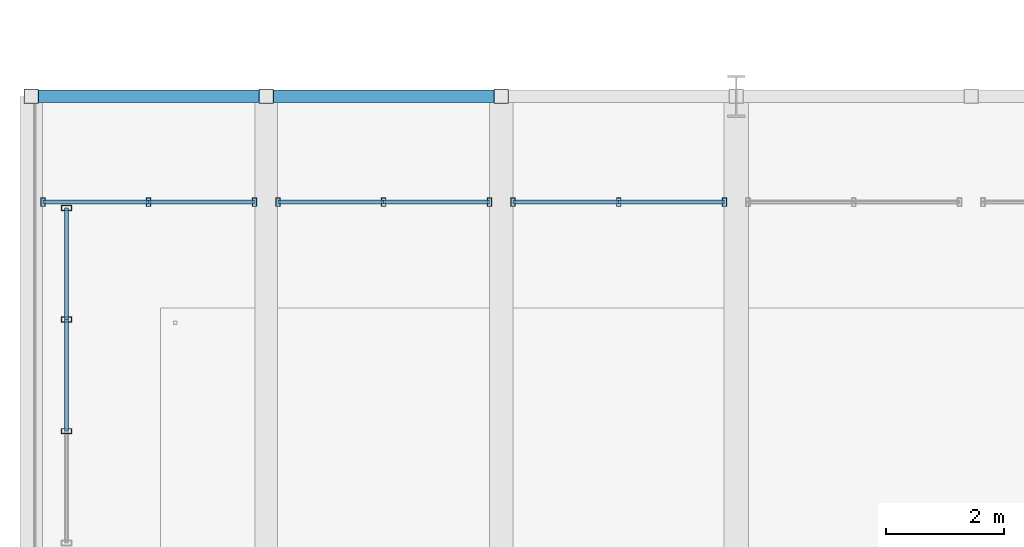
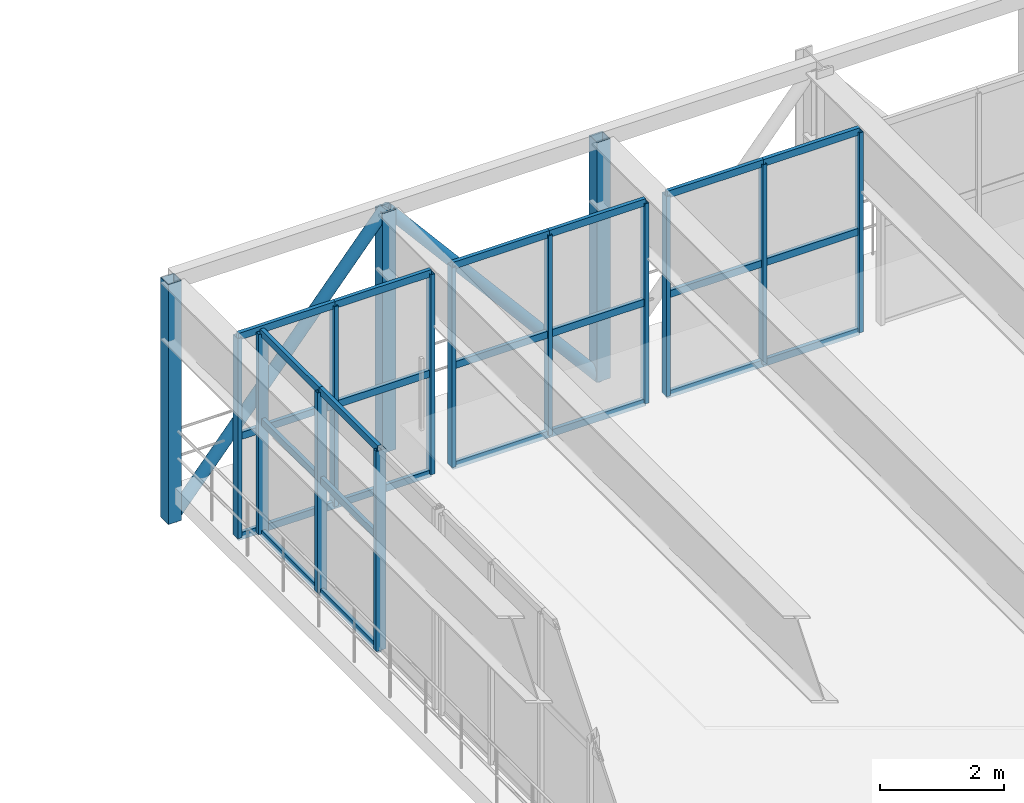
# One storey, part 30 of 124: 41 members, 4 elements without a shape of their own.
"""IFC4 building model written with IfcOpenShell, lengths in metres."""

import ifcopenshell
import ifcopenshell.guid

model = None  # the IFC model being written
_history = None  # IfcOwnerHistory: only IFC2X3 demands one
_inside = {}  # id of a spatial element -> (the spatial element, [elements in it])
_under = {}  # id of a project, library or spatial element -> (it, [spatial elements below it])
_declared = {}  # id of a project -> (the project, [libraries it declares])
_typed = {}  # id of a type object -> (the type object, [elements of that type])
_made_of = {}  # id of a material, layer set ... -> (it, [elements and type objects made of it])


def new_model(schema):
    """Start an empty IFC model of exactly this schema.

    Asked for "IFC4X3", IfcOpenShell would pick the latest addendum, in which some entities
    have other attributes; the version numbers below select the first issue.
    IFC2X3 requires an IfcOwnerHistory on every rooted entity: one is made here for all.
    """
    global model, _history
    if schema == "IFC4X3":
        model = ifcopenshell.file(schema_version=(4, 3, 0, 0))
    else:
        model = ifcopenshell.file(schema=schema)
    _inside.clear()
    _under.clear()
    _declared.clear()
    _typed.clear()
    _made_of.clear()
    _history = None
    if model.schema == "IFC2X3":
        org = make("IfcOrganization", Name="unknown")
        user = make(
            "IfcPersonAndOrganization",
            ThePerson=make("IfcPerson", FamilyName="unknown"),
            TheOrganization=org,
        )
        app = make(
            "IfcApplication",
            ApplicationDeveloper=org,
            Version="unknown",
            ApplicationFullName="unknown",
            ApplicationIdentifier="unknown",
        )
        _history = make(
            "IfcOwnerHistory",
            OwningUser=user,
            OwningApplication=app,
            ChangeAction="ADDED",
            CreationDate=0,
        )
    return model


def make(cls, **values):
    """One entity of the class cls with the attributes given. An attribute that is None is left unset."""
    return model.create_entity(
        cls, **{name: value for name, value in values.items() if value is not None}
    )


def rooted(cls, **values):
    """An entity with a GlobalId (a new one), such as an element, a storey or a relation."""
    return make(cls, GlobalId=ifcopenshell.guid.new(), OwnerHistory=_history, **values)


def si_unit(unit_type, name, prefix=None):
    """IfcSIUnit, for example si_unit("LENGTHUNIT", "METRE", prefix="MILLI")."""
    return make("IfcSIUnit", UnitType=unit_type, Prefix=prefix, Name=name)


def assignment(units):
    """IfcUnitAssignment: the units of a project."""
    return None if units is None else make("IfcUnitAssignment", Units=units)


def point(xyz):
    """IfcCartesianPoint."""
    return None if xyz is None else make("IfcCartesianPoint", Coordinates=xyz)


def direction(xyz):
    """IfcDirection."""
    return None if xyz is None else make("IfcDirection", DirectionRatios=xyz)


def frame(location, z_axis=None, x_axis=None):
    """IfcAxis2Placement3D, a coordinate frame: its origin and axes. An axis left out is left unset."""
    return make(
        "IfcAxis2Placement3D",
        Location=point(location),
        Axis=direction(z_axis),
        RefDirection=direction(x_axis),
    )


def frame_2d(location, x_axis=None):
    """IfcAxis2Placement2D, a coordinate frame in the plane: its origin and x axis."""
    return make(
        "IfcAxis2Placement2D", Location=point(location), RefDirection=direction(x_axis)
    )


def origin():
    """The frame at (0, 0, 0) with its axes left unset."""
    return frame((0.0, 0.0, 0.0))


def origin_2d():
    """The frame at (0, 0) in the plane with its x axis left unset."""
    return frame_2d((0.0, 0.0))


def place(relative_to, where):
    """IfcLocalPlacement: puts the frame where relative to a parent placement (None: the world)."""
    return make(
        "IfcLocalPlacement", PlacementRelTo=relative_to, RelativePlacement=where
    )


def context(
    kind, dimensions, precision=None, world=None, true_north=None, identifier=None
):
    """IfcGeometricRepresentationContext, for example the 3D "Model" context."""
    return make(
        "IfcGeometricRepresentationContext",
        ContextIdentifier=identifier,
        ContextType=kind,
        CoordinateSpaceDimension=dimensions,
        Precision=precision,
        WorldCoordinateSystem=world,
        TrueNorth=true_north,
    )


def subcontext(parent, identifier, kind, view, scale=None):
    """IfcGeometricRepresentationSubContext, for example "Body" below "Model"."""
    return make(
        "IfcGeometricRepresentationSubContext",
        ContextIdentifier=identifier,
        ContextType=kind,
        ParentContext=parent,
        TargetScale=scale,
        TargetView=view,
    )


def project(units=None, contexts=None):
    """IfcProject with its units and contexts."""
    return rooted(
        "IfcProject",
        Name="project",
        RepresentationContexts=contexts,
        UnitsInContext=assignment(units),
    )


def spatial(cls, under=None, at=None, **own):
    """A site, building, storey or space (cls), placed at a placement, below another one or the project."""
    s = rooted(cls, ObjectPlacement=at, **own)
    if under is not None:
        _under.setdefault(under.id(), (under, []))[1].append(s)
    return s


def profile(cls, at=None, kind="AREA", **sizes):
    """A parametric profile (cls). Its sizes go by their IFC names, for example OverallWidth=200.0."""
    return make(cls, ProfileType=kind, Position=at, **sizes)


def hollow_rectangle(**sizes):
    """IfcRectangleHollowProfileDef."""
    return profile("IfcRectangleHollowProfileDef", **sizes)


def hollow_circle(**sizes):
    """IfcCircleHollowProfileDef."""
    return profile("IfcCircleHollowProfileDef", **sizes)


def extrude(swept, where, along, depth):
    """IfcExtrudedAreaSolid: the profile swept, set in the frame where, extruded along a direction by depth."""
    return make(
        "IfcExtrudedAreaSolid",
        SweptArea=swept,
        Position=where,
        ExtrudedDirection=direction(along),
        Depth=depth,
    )


def shape(context_of_items, identifier, shape_type, items):
    """IfcShapeRepresentation: the items that make up one representation, for example the "Body"."""
    return make(
        "IfcShapeRepresentation",
        ContextOfItems=context_of_items,
        RepresentationIdentifier=identifier,
        RepresentationType=shape_type,
        Items=items,
    )


def material(Name=None, Category=None):
    """IfcMaterial."""
    return make("IfcMaterial", Name=Name, Category=Category)


def material_profile(
    of_material, cross_section, Name=None, Category=None, Priority=None
):
    """IfcMaterialProfile: a cross section and its material."""
    return make(
        "IfcMaterialProfile",
        Name=Name,
        Material=of_material,
        Profile=cross_section,
        Priority=Priority,
        Category=Category,
    )


def profile_set(profiles, Name=None, composite=None):
    """IfcMaterialProfileSet."""
    return make(
        "IfcMaterialProfileSet",
        Name=Name,
        MaterialProfiles=profiles,
        CompositeProfile=composite,
    )


def made_of(thing, what):
    """Note that an element or type object is made of a material, layer set ...; save() writes the relation."""
    if what is not None:
        _made_of.setdefault(what.id(), (what, []))[1].append(thing)
    return thing


def type_object(cls, material=None, **own):
    """A type object (cls), such as IfcWallType, which elements share."""
    return made_of(rooted(cls, **own), material)


def element(
    cls,
    number,
    at=None,
    inside=None,
    cuts=None,
    type_object=None,
    material=None,
    context=None,
    identifier="Body",
    shape_type=None,
    held_by="IfcProductDefinitionShape",
    body=None,
    shapes=None,
    **own,
):
    """One element of the class cls, such as IfcWall. Its Tag is "e" and its number.

    at: its placement. inside: the storey or other place that contains it. cuts: it is an
    opening in that element (IfcRelVoidsElement). A single representation is given by context,
    identifier, shape_type and body (its items); several are given by shapes. held_by: the class
    of the entity that holds the representations. save() writes the other relations.
    """
    e = rooted(cls, Tag="e%d" % number, ObjectPlacement=at, **own)
    if body is not None:
        shapes = [shape(context, identifier, shape_type, body)]
    if shapes is not None:
        e.Representation = make(held_by, Representations=shapes)
    if inside is not None:
        _inside.setdefault(inside.id(), (inside, []))[1].append(e)
    if cuts is not None:
        rooted(
            "IfcRelVoidsElement", RelatingBuildingElement=cuts, RelatedOpeningElement=e
        )
    if type_object is not None:
        _typed.setdefault(type_object.id(), (type_object, []))[1].append(e)
    return made_of(e, material)


def aggregate(whole, parts):
    """IfcRelAggregates: a whole, such as a stair, and the parts it consists of."""
    return rooted("IfcRelAggregates", RelatingObject=whole, RelatedObjects=parts)


def save(model, path):
    """Write the relations noted so far, then the file.

    IfcRelAggregates (storeys below a building ...), IfcRelContainedInSpatialStructure (elements
    in a storey), IfcRelDefinesByType, IfcRelAssociatesMaterial and IfcRelDeclares: one each for
    every whole, place, type object, material and project.
    """
    for whole, parts in _under.values():
        aggregate(whole, parts)
    for where, things in _inside.values():
        rooted(
            "IfcRelContainedInSpatialStructure",
            RelatedElements=things,
            RelatingStructure=where,
        )
    for kind, things in _typed.values():
        rooted("IfcRelDefinesByType", RelatedObjects=things, RelatingType=kind)
    for what, things in _made_of.values():
        rooted("IfcRelAssociatesMaterial", RelatedObjects=things, RelatingMaterial=what)
    for by, libraries in _declared.values():
        rooted("IfcRelDeclares", RelatingContext=by, RelatedDefinitions=libraries)
    model.write(path)


model = new_model("IFC4")

# Units and contexts
model_context = context("Model", 3, precision=1e-05, world=origin(), true_north=direction((0.0, 1.0)))
body_context = subcontext(model_context, "Body", "Model", "MODEL_VIEW")
ifc_project = project(units=[si_unit("LENGTHUNIT", "METRE"), si_unit("AREAUNIT", "SQUARE_METRE"), si_unit("VOLUMEUNIT", "CUBIC_METRE"), si_unit("PLANEANGLEUNIT", "RADIAN"), si_unit("MASSUNIT", "GRAM", prefix="KILO")], contexts=[model_context])

# Site, building, storey
site_placement = place(None, origin())
site = spatial("IfcSite", under=ifc_project, at=site_placement, CompositionType="ELEMENT")
building_placement = place(site_placement, origin())
building = spatial("IfcBuilding", under=site, at=building_placement, Name="Sundkrona Museum", CompositionType="ELEMENT")
storey_placement = place(building_placement, frame((0.0, 0.0, 17.60009765625)))
storey = spatial("IfcBuildingStorey", under=building, at=storey_placement, Name="L03", CompositionType="ELEMENT", Elevation=17.60009765625)

# Curtain wall, members
ifc_material_1 = material(Name="Unitised Aluminium-Steel and Ceramic-Clad Curtain Walling", Category="steel")
curtain_wall_type_1 = type_object("IfcCurtainWallType", Name="CW-CV-36x38", PredefinedType="NOTDEFINED", material=ifc_material_1)
curtain_wall_1_placement = place(storey_placement, origin())
curtain_wall_1 = element("IfcCurtainWall", 1, at=curtain_wall_1_placement, inside=storey, type_object=curtain_wall_type_1, Name="L03 Curtain Wall CW-L03-153", PredefinedType="NOTDEFINED")
ifc_material_2 = material(Name="Aluminium EN AW-6060 T66", Category="aluminium")
ifc_material_profile_1 = material_profile(ifc_material_2, hollow_rectangle(XDim=0.074951171875, YDim=0.14990234375, WallThickness=0.00634765625, at=origin_2d()), Name="RHS 150x75x6.3")
ifc_profile_set_1 = profile_set([ifc_material_profile_1], Name="Aluminium EN AW-6060 T66")
member_type_1 = type_object("IfcMemberType", Name="ML-150", PredefinedType="MULLION", material=ifc_profile_set_1)
member_1_placement = place(storey_placement, frame((4.199951171875, 52.199951171875, -0.004150390625), z_axis=(0.0, 0.0, 1.0), x_axis=(1.0, 0.0, 0.0)))
member_1 = element("IfcMember", 2, at=member_1_placement, type_object=member_type_1, Name="CW-L03-153 Mullion 01", PredefinedType="MULLION", context=body_context, shape_type="SweptSolid", body=[
    extrude(hollow_rectangle(XDim=0.074951171875, YDim=0.14990234375, WallThickness=0.00634765625, at=origin_2d()), origin(), (0.0, 0.0, 1.0), 3.947998046875),
])
member_2_placement = place(storey_placement, frame((6.0, 52.199951171875, -0.004150390625), z_axis=(0.0, 0.0, 1.0), x_axis=(1.0, 0.0, 0.0)))
member_2 = element("IfcMember", 3, at=member_2_placement, type_object=member_type_1, Name="CW-L03-153 Mullion 02", PredefinedType="MULLION", context=body_context, shape_type="SweptSolid", body=[
    extrude(hollow_rectangle(XDim=0.074951171875, YDim=0.14990234375, WallThickness=0.00634765625, at=origin_2d()), origin(), (0.0, 0.0, 1.0), 3.947998046875),
])
member_3_placement = place(storey_placement, frame((7.800048828125, 52.199951171875, -0.004150390625), z_axis=(0.0, 0.0, 1.0), x_axis=(1.0, 0.0, 0.0)))
member_3 = element("IfcMember", 4, at=member_3_placement, type_object=member_type_1, Name="CW-L03-153 Mullion 03", PredefinedType="MULLION", context=body_context, shape_type="SweptSolid", body=[
    extrude(hollow_rectangle(XDim=0.074951171875, YDim=0.14990234375, WallThickness=0.00634765625, at=origin_2d()), origin(), (0.0, 0.0, 1.0), 3.947998046875),
])

curtain_wall_2_placement = place(storey_placement, origin())
curtain_wall_2 = element("IfcCurtainWall", 5, at=curtain_wall_2_placement, inside=storey, type_object=curtain_wall_type_1, Name="L03 Curtain Wall CW-L03-155", PredefinedType="NOTDEFINED")
member_4_placement = place(storey_placement, frame((8.199951171875, 52.199951171875, -0.004150390625), z_axis=(0.0, 0.0, 1.0), x_axis=(1.0, 0.0, 0.0)))
member_4 = element("IfcMember", 6, at=member_4_placement, type_object=member_type_1, Name="CW-L03-155 Mullion 01", PredefinedType="MULLION", context=body_context, shape_type="SweptSolid", body=[
    extrude(hollow_rectangle(XDim=0.074951171875, YDim=0.14990234375, WallThickness=0.00634765625, at=origin_2d()), origin(), (0.0, 0.0, 1.0), 3.947998046875),
])
member_5_placement = place(storey_placement, frame((10.0, 52.199951171875, -0.004150390625), z_axis=(0.0, 0.0, 1.0), x_axis=(1.0, 0.0, 0.0)))
member_5 = element("IfcMember", 7, at=member_5_placement, type_object=member_type_1, Name="CW-L03-155 Mullion 02", PredefinedType="MULLION", context=body_context, shape_type="SweptSolid", body=[
    extrude(hollow_rectangle(XDim=0.074951171875, YDim=0.14990234375, WallThickness=0.00634765625, at=origin_2d()), origin(), (0.0, 0.0, 1.0), 3.947998046875),
])
member_6_placement = place(storey_placement, frame((11.800048828125, 52.199951171875, -0.004150390625), z_axis=(0.0, 0.0, 1.0), x_axis=(1.0, 0.0, 0.0)))
member_6 = element("IfcMember", 8, at=member_6_placement, type_object=member_type_1, Name="CW-L03-155 Mullion 03", PredefinedType="MULLION", context=body_context, shape_type="SweptSolid", body=[
    extrude(hollow_rectangle(XDim=0.074951171875, YDim=0.14990234375, WallThickness=0.00634765625, at=origin_2d()), origin(), (0.0, 0.0, 1.0), 3.947998046875),
])

curtain_wall_3_placement = place(storey_placement, origin())
curtain_wall_3 = element("IfcCurtainWall", 9, at=curtain_wall_3_placement, inside=storey, type_object=curtain_wall_type_1, Name="L03 Curtain Wall CW-L03-157", PredefinedType="NOTDEFINED")
member_7_placement = place(storey_placement, frame((12.199951171875, 52.199951171875, -0.004150390625), z_axis=(0.0, 0.0, 1.0), x_axis=(1.0, 0.0, 0.0)))
member_7 = element("IfcMember", 10, at=member_7_placement, type_object=member_type_1, Name="CW-L03-157 Mullion 01", PredefinedType="MULLION", context=body_context, shape_type="SweptSolid", body=[
    extrude(hollow_rectangle(XDim=0.074951171875, YDim=0.14990234375, WallThickness=0.00634765625, at=origin_2d()), origin(), (0.0, 0.0, 1.0), 3.947998046875),
])
member_8_placement = place(storey_placement, frame((14.0, 52.199951171875, -0.004150390625), z_axis=(0.0, 0.0, 1.0), x_axis=(1.0, 0.0, 0.0)))
member_8 = element("IfcMember", 11, at=member_8_placement, type_object=member_type_1, Name="CW-L03-157 Mullion 02", PredefinedType="MULLION", context=body_context, shape_type="SweptSolid", body=[
    extrude(hollow_rectangle(XDim=0.074951171875, YDim=0.14990234375, WallThickness=0.00634765625, at=origin_2d()), origin(), (0.0, 0.0, 1.0), 3.947998046875),
])
member_9_placement = place(storey_placement, frame((15.800048828125, 52.199951171875, -0.004150390625), z_axis=(0.0, 0.0, 1.0), x_axis=(1.0, 0.0, 0.0)))
member_9 = element("IfcMember", 12, at=member_9_placement, type_object=member_type_1, Name="CW-L03-157 Mullion 03", PredefinedType="MULLION", context=body_context, shape_type="SweptSolid", body=[
    extrude(hollow_rectangle(XDim=0.074951171875, YDim=0.14990234375, WallThickness=0.00634765625, at=origin_2d()), origin(), (0.0, 0.0, 1.0), 3.947998046875),
])

curtain_wall_type_2 = type_object("IfcCurtainWallType", Name="CW-CV-68x38", PredefinedType="NOTDEFINED", material=ifc_material_1)
curtain_wall_4_placement = place(storey_placement, origin())
curtain_wall_4 = element("IfcCurtainWall", 13, at=curtain_wall_4_placement, inside=storey, type_object=curtain_wall_type_2, Name="L03 Curtain Wall CW-CV-TIP-L03-46", PredefinedType="NOTDEFINED")
ifc_material_profile_2 = material_profile(ifc_material_2, hollow_rectangle(XDim=0.090087890625, YDim=0.179931640625, WallThickness=0.00634765625, at=origin_2d()), Name="RHS 180x90x6.3")
ifc_profile_set_2 = profile_set([ifc_material_profile_2], Name="Aluminium EN AW-6060 T66")
member_type_2 = type_object("IfcMemberType", Name="ML-180", PredefinedType="MULLION", material=ifc_profile_set_2)
member_10_placement = place(storey_placement, frame((4.60009765625, 48.300048828125, -0.004150390625), z_axis=(0.0, 0.0, 1.0), x_axis=(0.0, 1.0, 0.0)))
member_10 = element("IfcMember", 14, at=member_10_placement, type_object=member_type_2, Name="CW-CV-TIP-L03-46 Mullion 02", PredefinedType="MULLION", context=body_context, shape_type="SweptSolid", body=[
    extrude(hollow_rectangle(XDim=0.090087890625, YDim=0.179931640625, WallThickness=0.00634765625, at=origin_2d()), origin(), (0.0, 0.0, 1.0), 3.947998046875),
])
member_11_placement = place(storey_placement, frame((4.60009765625, 50.199951171875, -0.004150390625), z_axis=(0.0, 0.0, 1.0), x_axis=(0.0, 1.0, 0.0)))
member_11 = element("IfcMember", 15, at=member_11_placement, type_object=member_type_2, Name="CW-CV-TIP-L03-46 Mullion 03", PredefinedType="MULLION", context=body_context, shape_type="SweptSolid", body=[
    extrude(hollow_rectangle(XDim=0.090087890625, YDim=0.179931640625, WallThickness=0.00634765625, at=origin_2d()), origin(), (0.0, 0.0, 1.0), 3.947998046875),
])
member_12_placement = place(storey_placement, frame((4.60009765625, 52.10009765625, -0.004150390625), z_axis=(0.0, 0.0, 1.0), x_axis=(0.0, 1.0, 0.0)))
member_12 = element("IfcMember", 16, at=member_12_placement, type_object=member_type_2, Name="CW-CV-TIP-L03-46 Mullion 04", PredefinedType="MULLION", context=body_context, shape_type="SweptSolid", body=[
    extrude(hollow_rectangle(XDim=0.090087890625, YDim=0.179931640625, WallThickness=0.00634765625, at=origin_2d()), origin(), (0.0, 0.0, 1.0), 3.947998046875),
])

# Members
ifc_material_3 = material(Name="Steel S355J2", Category="steel")
ifc_material_profile_3 = material_profile(ifc_material_3, hollow_circle(Radius=0.109619140625, WallThickness=0.010009765625, at=origin_2d()), Name="CHS 219.1x10.0")
ifc_profile_set_3 = profile_set([ifc_material_profile_3], Name="Steel S355J2")
member_type_3 = type_object("IfcMemberType", Name="ST-CHS219", PredefinedType="STRUT", material=ifc_profile_set_3)
for number, where, z_axis, x_axis, name in (
    (17, (4.0, 54.0, -0.68017578125), (0.645726672694, 0.0, 0.763568637499), (0.0, 1.0, 0.0), "TRS-1 Cantilever Upper Pavilion N Diagonal 1"),
    (18, (8.0, 54.0, 4.0498046875), (0.645726672694, 0.0, -0.763568637499), (0.0, 1.0, 0.0), "TRS-1 Cantilever Upper Pavilion N Diagonal 2"),
):
    element("IfcMember", number, at=place(storey_placement, frame(where, z_axis=z_axis, x_axis=x_axis)), inside=storey, type_object=member_type_3, Name=name, PredefinedType="STRUT", context=body_context, shape_type="SweptSolid", body=[
        extrude(hollow_circle(Radius=0.109619140625, WallThickness=0.010009765625, at=origin_2d()), origin(), (0.0, 0.0, 1.0), 6.194580078125),
    ])
ifc_material_4 = material(Name="Steel S460M", Category="steel")
ifc_material_profile_4 = material_profile(ifc_material_4, hollow_rectangle(XDim=0.25, YDim=0.25, WallThickness=0.012451171875, at=origin_2d()), Name="SHS 250x250x12.5")
ifc_profile_set_4 = profile_set([ifc_material_profile_4], Name="Steel S460M")
member_type_4 = type_object("IfcMemberType", Name="ST-SHS250", PredefinedType="STRUT", material=ifc_profile_set_4)
for number, where, z_axis, x_axis, name in (
    (19, (4.0, 54.0, -0.68017578125), (0.0, 0.0, 1.0), (1.0, 0.0, 0.0), "TRS-1 Cantilever Upper Pavilion Post N-1"),
    (20, (8.0, 54.0, -0.68017578125), (0.0, 0.0, 1.0), (1.0, 0.0, 0.0), "TRS-1 Cantilever Upper Pavilion Post N-2"),
    (21, (12.0, 54.0, -0.68017578125), (0.0, 0.0, 1.0), (1.0, 0.0, 0.0), "TRS-1 Cantilever Upper Pavilion Post N-3"),
):
    element("IfcMember", number, at=place(storey_placement, frame(where, z_axis=z_axis, x_axis=x_axis)), inside=storey, type_object=member_type_4, Name=name, PredefinedType="STRUT", context=body_context, shape_type="SweptSolid", body=[
        extrude(hollow_rectangle(XDim=0.25, YDim=0.25, WallThickness=0.012451171875, at=origin_2d()), origin(), (0.0, 0.0, 1.0), 4.72998046875),
    ])

# Member
ifc_material_profile_5 = material_profile(ifc_material_2, hollow_rectangle(XDim=0.070068359375, YDim=0.139892578125, WallThickness=0.0048828125, at=origin_2d()), Name="RHS 140x70x5.0")
ifc_profile_set_5 = profile_set([ifc_material_profile_5], Name="Aluminium EN AW-6060 T66")
member_type_5 = type_object("IfcMemberType", Name="TR-140", PredefinedType="USERDEFINED", material=ifc_profile_set_5)
member_13_placement = place(storey_placement, frame((4.199951171875, 52.199951171875, -0.004150390625), z_axis=(1.0, 0.0, 0.0), x_axis=(0.0, 1.0, 0.0)))
member_13 = element("IfcMember", 22, at=member_13_placement, type_object=member_type_5, Name="CW-L03-153 Transom 01", ObjectType="TRANSOM", PredefinedType="USERDEFINED", context=body_context, shape_type="SweptSolid", body=[
    extrude(hollow_rectangle(XDim=0.070068359375, YDim=0.139892578125, WallThickness=0.0048828125, at=origin_2d()), origin(), (0.0, 0.0, 1.0), 1.800048828125),
])

member_14_placement = place(storey_placement, frame((4.199951171875, 52.199951171875, 1.969970703125), z_axis=(1.0, 0.0, 0.0), x_axis=(0.0, 1.0, 0.0)))
member_14 = element("IfcMember", 23, at=member_14_placement, type_object=member_type_5, Name="CW-L03-153 Transom 02", ObjectType="TRANSOM", PredefinedType="USERDEFINED", context=body_context, shape_type="SweptSolid", body=[
    extrude(hollow_rectangle(XDim=0.070068359375, YDim=0.139892578125, WallThickness=0.0048828125, at=origin_2d()), origin(), (0.0, 0.0, 1.0), 1.800048828125),
])

member_15_placement = place(storey_placement, frame((4.199951171875, 52.199951171875, 3.94384765625), z_axis=(1.0, 0.0, 0.0), x_axis=(0.0, 1.0, 0.0)))
member_15 = element("IfcMember", 24, at=member_15_placement, type_object=member_type_5, Name="CW-L03-153 Transom 03", ObjectType="TRANSOM", PredefinedType="USERDEFINED", context=body_context, shape_type="SweptSolid", body=[
    extrude(hollow_rectangle(XDim=0.070068359375, YDim=0.139892578125, WallThickness=0.0048828125, at=origin_2d()), origin(), (0.0, 0.0, 1.0), 1.800048828125),
])

member_16_placement = place(storey_placement, frame((6.0, 52.199951171875, -0.004150390625), z_axis=(1.0, 0.0, 0.0), x_axis=(0.0, 1.0, 0.0)))
member_16 = element("IfcMember", 25, at=member_16_placement, type_object=member_type_5, Name="CW-L03-153 Transom 04", ObjectType="TRANSOM", PredefinedType="USERDEFINED", context=body_context, shape_type="SweptSolid", body=[
    extrude(hollow_rectangle(XDim=0.070068359375, YDim=0.139892578125, WallThickness=0.0048828125, at=origin_2d()), origin(), (0.0, 0.0, 1.0), 1.800048828125),
])

member_17_placement = place(storey_placement, frame((6.0, 52.199951171875, 1.969970703125), z_axis=(1.0, 0.0, 0.0), x_axis=(0.0, 1.0, 0.0)))
member_17 = element("IfcMember", 26, at=member_17_placement, type_object=member_type_5, Name="CW-L03-153 Transom 05", ObjectType="TRANSOM", PredefinedType="USERDEFINED", context=body_context, shape_type="SweptSolid", body=[
    extrude(hollow_rectangle(XDim=0.070068359375, YDim=0.139892578125, WallThickness=0.0048828125, at=origin_2d()), origin(), (0.0, 0.0, 1.0), 1.800048828125),
])

member_18_placement = place(storey_placement, frame((6.0, 52.199951171875, 3.94384765625), z_axis=(1.0, 0.0, 0.0), x_axis=(0.0, 1.0, 0.0)))
member_18 = element("IfcMember", 27, at=member_18_placement, type_object=member_type_5, Name="CW-L03-153 Transom 06", ObjectType="TRANSOM", PredefinedType="USERDEFINED", context=body_context, shape_type="SweptSolid", body=[
    extrude(hollow_rectangle(XDim=0.070068359375, YDim=0.139892578125, WallThickness=0.0048828125, at=origin_2d()), origin(), (0.0, 0.0, 1.0), 1.800048828125),
])

aggregate(curtain_wall_1, [member_1, member_2, member_3, member_13, member_14, member_15, member_16, member_17, member_18])

member_19_placement = place(storey_placement, frame((8.199951171875, 52.199951171875, -0.004150390625), z_axis=(1.0, 0.0, 0.0), x_axis=(0.0, 1.0, 0.0)))
member_19 = element("IfcMember", 28, at=member_19_placement, type_object=member_type_5, Name="CW-L03-155 Transom 01", ObjectType="TRANSOM", PredefinedType="USERDEFINED", context=body_context, shape_type="SweptSolid", body=[
    extrude(hollow_rectangle(XDim=0.070068359375, YDim=0.139892578125, WallThickness=0.0048828125, at=origin_2d()), origin(), (0.0, 0.0, 1.0), 1.800048828125),
])

member_20_placement = place(storey_placement, frame((8.199951171875, 52.199951171875, 1.969970703125), z_axis=(1.0, 0.0, 0.0), x_axis=(0.0, 1.0, 0.0)))
member_20 = element("IfcMember", 29, at=member_20_placement, type_object=member_type_5, Name="CW-L03-155 Transom 02", ObjectType="TRANSOM", PredefinedType="USERDEFINED", context=body_context, shape_type="SweptSolid", body=[
    extrude(hollow_rectangle(XDim=0.070068359375, YDim=0.139892578125, WallThickness=0.0048828125, at=origin_2d()), origin(), (0.0, 0.0, 1.0), 1.800048828125),
])

member_21_placement = place(storey_placement, frame((8.199951171875, 52.199951171875, 3.94384765625), z_axis=(1.0, 0.0, 0.0), x_axis=(0.0, 1.0, 0.0)))
member_21 = element("IfcMember", 30, at=member_21_placement, type_object=member_type_5, Name="CW-L03-155 Transom 03", ObjectType="TRANSOM", PredefinedType="USERDEFINED", context=body_context, shape_type="SweptSolid", body=[
    extrude(hollow_rectangle(XDim=0.070068359375, YDim=0.139892578125, WallThickness=0.0048828125, at=origin_2d()), origin(), (0.0, 0.0, 1.0), 1.800048828125),
])

member_22_placement = place(storey_placement, frame((10.0, 52.199951171875, -0.004150390625), z_axis=(1.0, 0.0, 0.0), x_axis=(0.0, 1.0, 0.0)))
member_22 = element("IfcMember", 31, at=member_22_placement, type_object=member_type_5, Name="CW-L03-155 Transom 04", ObjectType="TRANSOM", PredefinedType="USERDEFINED", context=body_context, shape_type="SweptSolid", body=[
    extrude(hollow_rectangle(XDim=0.070068359375, YDim=0.139892578125, WallThickness=0.0048828125, at=origin_2d()), origin(), (0.0, 0.0, 1.0), 1.800048828125),
])

member_23_placement = place(storey_placement, frame((10.0, 52.199951171875, 1.969970703125), z_axis=(1.0, 0.0, 0.0), x_axis=(0.0, 1.0, 0.0)))
member_23 = element("IfcMember", 32, at=member_23_placement, type_object=member_type_5, Name="CW-L03-155 Transom 05", ObjectType="TRANSOM", PredefinedType="USERDEFINED", context=body_context, shape_type="SweptSolid", body=[
    extrude(hollow_rectangle(XDim=0.070068359375, YDim=0.139892578125, WallThickness=0.0048828125, at=origin_2d()), origin(), (0.0, 0.0, 1.0), 1.800048828125),
])

member_24_placement = place(storey_placement, frame((10.0, 52.199951171875, 3.94384765625), z_axis=(1.0, 0.0, 0.0), x_axis=(0.0, 1.0, 0.0)))
member_24 = element("IfcMember", 33, at=member_24_placement, type_object=member_type_5, Name="CW-L03-155 Transom 06", ObjectType="TRANSOM", PredefinedType="USERDEFINED", context=body_context, shape_type="SweptSolid", body=[
    extrude(hollow_rectangle(XDim=0.070068359375, YDim=0.139892578125, WallThickness=0.0048828125, at=origin_2d()), origin(), (0.0, 0.0, 1.0), 1.800048828125),
])

aggregate(curtain_wall_2, [member_4, member_5, member_6, member_19, member_20, member_21, member_22, member_23, member_24])

member_25_placement = place(storey_placement, frame((12.199951171875, 52.199951171875, -0.004150390625), z_axis=(1.0, 0.0, 0.0), x_axis=(0.0, 1.0, 0.0)))
member_25 = element("IfcMember", 34, at=member_25_placement, type_object=member_type_5, Name="CW-L03-157 Transom 01", ObjectType="TRANSOM", PredefinedType="USERDEFINED", context=body_context, shape_type="SweptSolid", body=[
    extrude(hollow_rectangle(XDim=0.070068359375, YDim=0.139892578125, WallThickness=0.0048828125, at=origin_2d()), origin(), (0.0, 0.0, 1.0), 1.800048828125),
])

member_26_placement = place(storey_placement, frame((12.199951171875, 52.199951171875, 1.969970703125), z_axis=(1.0, 0.0, 0.0), x_axis=(0.0, 1.0, 0.0)))
member_26 = element("IfcMember", 35, at=member_26_placement, type_object=member_type_5, Name="CW-L03-157 Transom 02", ObjectType="TRANSOM", PredefinedType="USERDEFINED", context=body_context, shape_type="SweptSolid", body=[
    extrude(hollow_rectangle(XDim=0.070068359375, YDim=0.139892578125, WallThickness=0.0048828125, at=origin_2d()), origin(), (0.0, 0.0, 1.0), 1.800048828125),
])

member_27_placement = place(storey_placement, frame((12.199951171875, 52.199951171875, 3.94384765625), z_axis=(1.0, 0.0, 0.0), x_axis=(0.0, 1.0, 0.0)))
member_27 = element("IfcMember", 36, at=member_27_placement, type_object=member_type_5, Name="CW-L03-157 Transom 03", ObjectType="TRANSOM", PredefinedType="USERDEFINED", context=body_context, shape_type="SweptSolid", body=[
    extrude(hollow_rectangle(XDim=0.070068359375, YDim=0.139892578125, WallThickness=0.0048828125, at=origin_2d()), origin(), (0.0, 0.0, 1.0), 1.800048828125),
])

member_28_placement = place(storey_placement, frame((14.0, 52.199951171875, -0.004150390625), z_axis=(1.0, 0.0, 0.0), x_axis=(0.0, 1.0, 0.0)))
member_28 = element("IfcMember", 37, at=member_28_placement, type_object=member_type_5, Name="CW-L03-157 Transom 04", ObjectType="TRANSOM", PredefinedType="USERDEFINED", context=body_context, shape_type="SweptSolid", body=[
    extrude(hollow_rectangle(XDim=0.070068359375, YDim=0.139892578125, WallThickness=0.0048828125, at=origin_2d()), origin(), (0.0, 0.0, 1.0), 1.800048828125),
])

member_29_placement = place(storey_placement, frame((14.0, 52.199951171875, 1.969970703125), z_axis=(1.0, 0.0, 0.0), x_axis=(0.0, 1.0, 0.0)))
member_29 = element("IfcMember", 38, at=member_29_placement, type_object=member_type_5, Name="CW-L03-157 Transom 05", ObjectType="TRANSOM", PredefinedType="USERDEFINED", context=body_context, shape_type="SweptSolid", body=[
    extrude(hollow_rectangle(XDim=0.070068359375, YDim=0.139892578125, WallThickness=0.0048828125, at=origin_2d()), origin(), (0.0, 0.0, 1.0), 1.800048828125),
])

member_30_placement = place(storey_placement, frame((14.0, 52.199951171875, 3.94384765625), z_axis=(1.0, 0.0, 0.0), x_axis=(0.0, 1.0, 0.0)))
member_30 = element("IfcMember", 39, at=member_30_placement, type_object=member_type_5, Name="CW-L03-157 Transom 06", ObjectType="TRANSOM", PredefinedType="USERDEFINED", context=body_context, shape_type="SweptSolid", body=[
    extrude(hollow_rectangle(XDim=0.070068359375, YDim=0.139892578125, WallThickness=0.0048828125, at=origin_2d()), origin(), (0.0, 0.0, 1.0), 1.800048828125),
])

aggregate(curtain_wall_3, [member_7, member_8, member_9, member_25, member_26, member_27, member_28, member_29, member_30])

member_31_placement = place(storey_placement, frame((4.60009765625, 48.300048828125, -0.004150390625), z_axis=(0.0, 1.0, 0.0), x_axis=(-1.0, 0.0, 0.0)))
member_31 = element("IfcMember", 40, at=member_31_placement, type_object=member_type_5, Name="CW-CV-TIP-L03-46 Transom 04", ObjectType="TRANSOM", PredefinedType="USERDEFINED", context=body_context, shape_type="SweptSolid", body=[
    extrude(hollow_rectangle(XDim=0.070068359375, YDim=0.139892578125, WallThickness=0.0048828125, at=origin_2d()), origin(), (0.0, 0.0, 1.0), 1.89990234375),
])

member_32_placement = place(storey_placement, frame((4.60009765625, 48.300048828125, 2.199951171875), z_axis=(0.0, 1.0, 0.0), x_axis=(-1.0, 0.0, 0.0)))
member_32 = element("IfcMember", 41, at=member_32_placement, type_object=member_type_5, Name="CW-CV-TIP-L03-46 Transom 05", ObjectType="TRANSOM", PredefinedType="USERDEFINED", context=body_context, shape_type="SweptSolid", body=[
    extrude(hollow_rectangle(XDim=0.070068359375, YDim=0.139892578125, WallThickness=0.0048828125, at=origin_2d()), origin(), (0.0, 0.0, 1.0), 1.89990234375),
])

member_33_placement = place(storey_placement, frame((4.60009765625, 48.300048828125, 3.94384765625), z_axis=(0.0, 1.0, 0.0), x_axis=(-1.0, 0.0, 0.0)))
member_33 = element("IfcMember", 42, at=member_33_placement, type_object=member_type_5, Name="CW-CV-TIP-L03-46 Transom 06", ObjectType="TRANSOM", PredefinedType="USERDEFINED", context=body_context, shape_type="SweptSolid", body=[
    extrude(hollow_rectangle(XDim=0.070068359375, YDim=0.139892578125, WallThickness=0.0048828125, at=origin_2d()), origin(), (0.0, 0.0, 1.0), 1.89990234375),
])

member_34_placement = place(storey_placement, frame((4.60009765625, 50.199951171875, -0.004150390625), z_axis=(0.0, 1.0, 0.0), x_axis=(-1.0, 0.0, 0.0)))
member_34 = element("IfcMember", 43, at=member_34_placement, type_object=member_type_5, Name="CW-CV-TIP-L03-46 Transom 07", ObjectType="TRANSOM", PredefinedType="USERDEFINED", context=body_context, shape_type="SweptSolid", body=[
    extrude(hollow_rectangle(XDim=0.070068359375, YDim=0.139892578125, WallThickness=0.0048828125, at=origin_2d()), origin(), (0.0, 0.0, 1.0), 1.900146484375),
])

member_35_placement = place(storey_placement, frame((4.60009765625, 50.199951171875, 2.199951171875), z_axis=(0.0, 1.0, 0.0), x_axis=(-1.0, 0.0, 0.0)))
member_35 = element("IfcMember", 44, at=member_35_placement, type_object=member_type_5, Name="CW-CV-TIP-L03-46 Transom 08", ObjectType="TRANSOM", PredefinedType="USERDEFINED", context=body_context, shape_type="SweptSolid", body=[
    extrude(hollow_rectangle(XDim=0.070068359375, YDim=0.139892578125, WallThickness=0.0048828125, at=origin_2d()), origin(), (0.0, 0.0, 1.0), 1.900146484375),
])

member_36_placement = place(storey_placement, frame((4.60009765625, 50.199951171875, 3.94384765625), z_axis=(0.0, 1.0, 0.0), x_axis=(-1.0, 0.0, 0.0)))
member_36 = element("IfcMember", 45, at=member_36_placement, type_object=member_type_5, Name="CW-CV-TIP-L03-46 Transom 09", ObjectType="TRANSOM", PredefinedType="USERDEFINED", context=body_context, shape_type="SweptSolid", body=[
    extrude(hollow_rectangle(XDim=0.070068359375, YDim=0.139892578125, WallThickness=0.0048828125, at=origin_2d()), origin(), (0.0, 0.0, 1.0), 1.900146484375),
])

aggregate(curtain_wall_4, [member_10, member_11, member_12, member_31, member_32, member_33, member_34, member_35, member_36])

save(model, "model.ifc")
